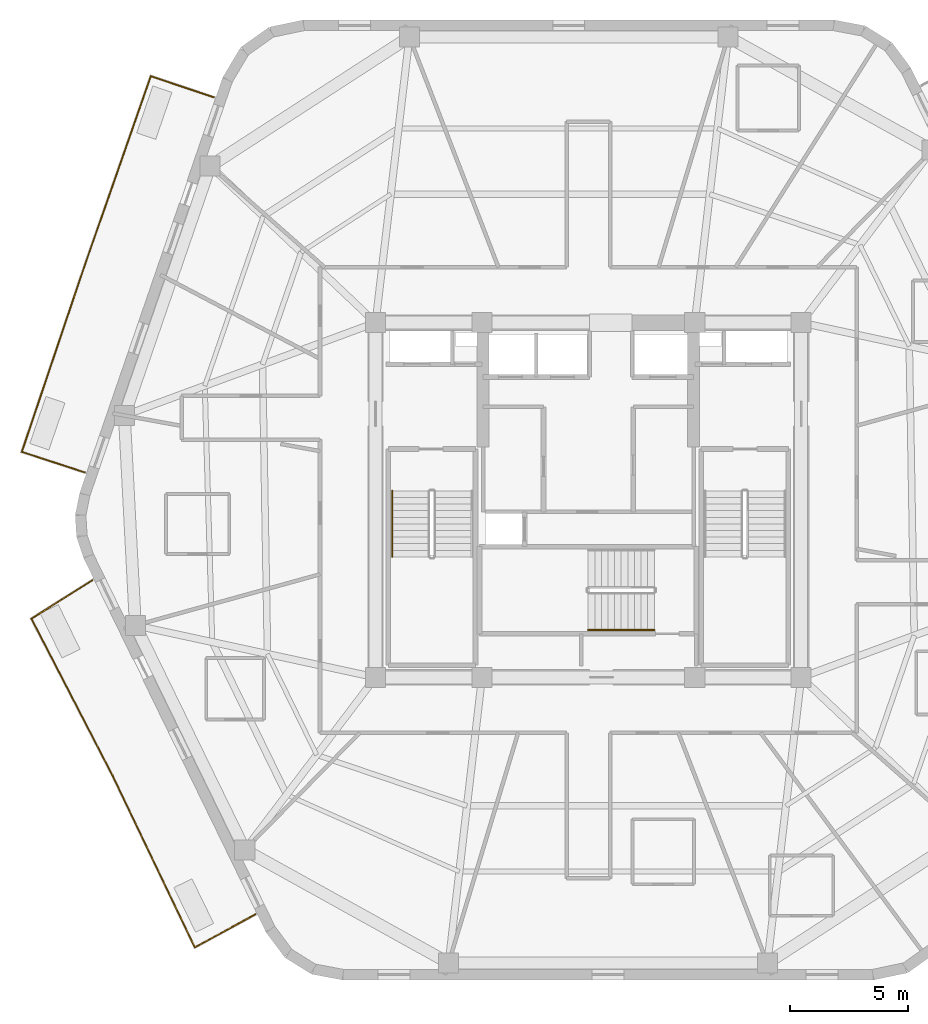
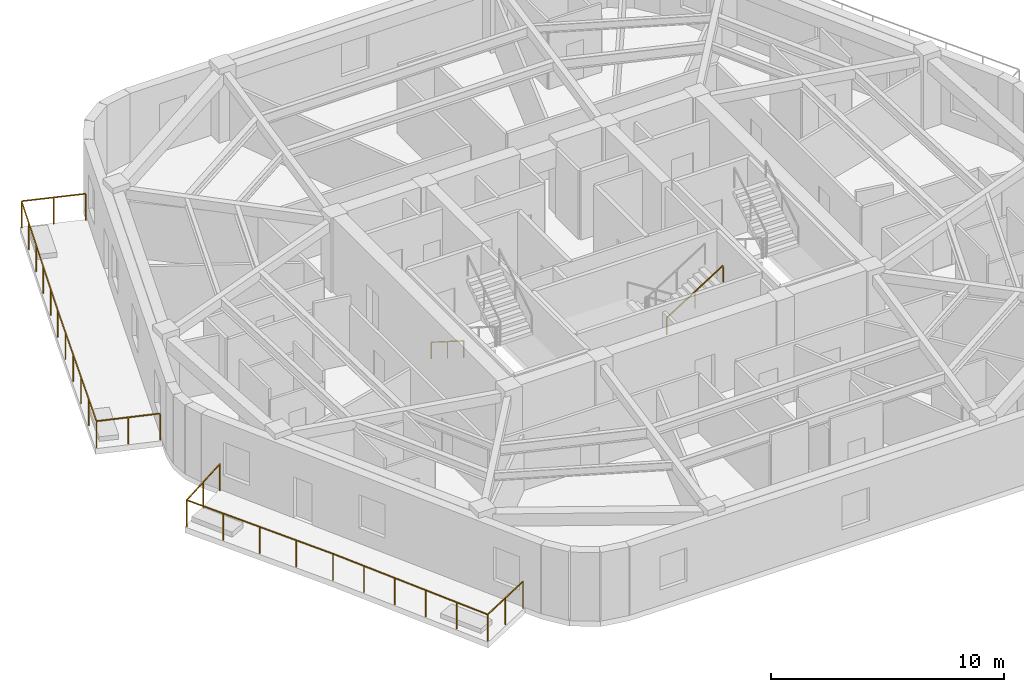
# One storey, part 7 of 9: 4 railings.
"""IFC4 building model written with IfcOpenShell, lengths in metres."""

from ifc_helpers import new_model, si_unit, direction, frame, origin, origin_2d, place, context, subcontext, project, spatial, rectangle, extrude, material, layer, layer_set, type_object, element, save


model = new_model("IFC4")

# Units and contexts
model_context = context("Model", 3, precision=1e-05, world=origin(), true_north=direction((0.0, 1.0)))
body_context = subcontext(model_context, "Body", "Model", "MODEL_VIEW")
ifc_project = project(units=[si_unit("LENGTHUNIT", "METRE"), si_unit("AREAUNIT", "SQUARE_METRE"), si_unit("VOLUMEUNIT", "CUBIC_METRE"), si_unit("PLANEANGLEUNIT", "RADIAN"), si_unit("MASSUNIT", "GRAM", prefix="KILO")], contexts=[model_context])

# Site, building, storey
site_placement = place(None, origin())
site = spatial("IfcSite", under=ifc_project, at=site_placement, CompositionType="ELEMENT")
building_placement = place(site_placement, origin())
building = spatial("IfcBuilding", under=site, at=building_placement, Name="Kilnhurst Terrace Hotel", CompositionType="ELEMENT")
storey_placement = place(building_placement, frame((0.0, 0.0, 276.89990234375)))
storey = spatial("IfcBuildingStorey", under=building, at=storey_placement, Name="L69", CompositionType="ELEMENT", Elevation=276.89990234375)

# Railings
ifc_material_1 = material(Name="Laminated SentryGlas and Stainless Steel AISI 316L Balustrade", Category="steel")
ifc_layer_1 = layer(ifc_material_1, 0.070068359375, Name="Laminated SentryGlas and Stainless Steel AISI 316L Balustrade")
ifc_layer_set_1 = layer_set([ifc_layer_1], Name="Laminated SentryGlas and Stainless Steel AISI 316L Balustrade")
railing_type_1 = type_object("IfcRailingType", Name="RLG-BAL-1420", PredefinedType="BALUSTRADE", material=ifc_layer_set_1)
railing_1_placement = place(storey_placement, frame((-21.298828125, 1.166748046875, 0.0)))
element("IfcRailing", 1, at=railing_1_placement, inside=storey, type_object=railing_type_1, Name="L69 Exterior Terrace Guardrail BAL-L2A.1", PredefinedType="BALUSTRADE", context=body_context, shape_type="SweptSolid", body=[
    extrude(rectangle(XDim=0.048095703125, YDim=0.048095703125, at=origin_2d()), frame((0.0, 0.0, 1.39599609375), z_axis=(-0.950394786916, 0.311046216827, 0.0), x_axis=(-0.311046216827, -0.950394786916, 0.0)), (0.0, 0.0, 1.0), 2.80126953125),
    extrude(rectangle(XDim=0.048095703125, YDim=0.048095703125, at=origin_2d()), frame((-2.662353515625, 0.871337890625, 1.39599609375), z_axis=(0.319895813217, 0.94745272636, 0.0), x_axis=(-0.94745272636, 0.319895813217, 0.0)), (0.0, 0.0, 1.0), 8.44091796875),
    extrude(rectangle(XDim=0.048095703125, YDim=0.048095703125, at=origin_2d()), frame((0.037841796875, 8.86865234375, 1.39599609375), z_axis=(0.329893619994, 0.944018113962, 0.0), x_axis=(-0.944018113962, 0.329893619994, 0.0)), (0.0, 0.0, 1.0), 8.356689453125),
    extrude(rectangle(XDim=0.048095703125, YDim=0.048095703125, at=origin_2d()), frame((2.794677734375, 16.757568359375, 1.39599609375), z_axis=(0.948082201611, -0.318025374757, 0.0), x_axis=(0.318025374757, 0.948082201611, 0.0)), (0.0, 0.0, 1.0), 2.810546875),
    extrude(rectangle(XDim=0.0419921875, YDim=0.0419921875, at=origin_2d()), origin(), (0.0, 0.0, 1.0), 1.371826171875),
    extrude(rectangle(XDim=0.0419921875, YDim=0.0419921875, at=origin_2d()), frame((-1.3310546875, 0.435546875, 0.0)), (0.0, 0.0, 1.0), 1.371826171875),
    extrude(rectangle(XDim=0.0419921875, YDim=0.0419921875, at=origin_2d()), frame((-2.662353515625, 0.871337890625, 0.0)), (0.0, 0.0, 1.0), 1.371826171875),
    extrude(rectangle(XDim=0.0419921875, YDim=0.0419921875, at=origin_2d()), frame((-2.122314453125, 2.470703125, 0.0)), (0.0, 0.0, 1.0), 1.371826171875),
    extrude(rectangle(XDim=0.0419921875, YDim=0.0419921875, at=origin_2d()), frame((-1.582275390625, 4.0703125, 0.0)), (0.0, 0.0, 1.0), 1.371826171875),
    extrude(rectangle(XDim=0.0419921875, YDim=0.0419921875, at=origin_2d()), frame((-1.042236328125, 5.669677734375, 0.0)), (0.0, 0.0, 1.0), 1.371826171875),
    extrude(rectangle(XDim=0.0419921875, YDim=0.0419921875, at=origin_2d()), frame((-0.502197265625, 7.269287109375, 0.0)), (0.0, 0.0, 1.0), 1.371826171875),
    extrude(rectangle(XDim=0.0419921875, YDim=0.0419921875, at=origin_2d()), frame((0.037841796875, 8.86865234375, 0.0)), (0.0, 0.0, 1.0), 1.371826171875),
    extrude(rectangle(XDim=0.0419921875, YDim=0.0419921875, at=origin_2d()), frame((0.589111328125, 10.446533203125, 0.0)), (0.0, 0.0, 1.0), 1.371826171875),
    extrude(rectangle(XDim=0.0419921875, YDim=0.0419921875, at=origin_2d()), frame((1.140625, 12.024169921875, 0.0)), (0.0, 0.0, 1.0), 1.371826171875),
    extrude(rectangle(XDim=0.0419921875, YDim=0.0419921875, at=origin_2d()), frame((1.69189453125, 13.60205078125, 0.0)), (0.0, 0.0, 1.0), 1.371826171875),
    extrude(rectangle(XDim=0.0419921875, YDim=0.0419921875, at=origin_2d()), frame((2.243408203125, 15.1796875, 0.0)), (0.0, 0.0, 1.0), 1.371826171875),
    extrude(rectangle(XDim=0.0419921875, YDim=0.0419921875, at=origin_2d()), frame((2.794677734375, 16.757568359375, 0.0)), (0.0, 0.0, 1.0), 1.371826171875),
    extrude(rectangle(XDim=0.0419921875, YDim=0.0419921875, at=origin_2d()), frame((4.126953125, 16.310546875, 0.0)), (0.0, 0.0, 1.0), 1.371826171875),
    extrude(rectangle(XDim=0.0419921875, YDim=0.0419921875, at=origin_2d()), frame((5.459228515625, 15.86376953125, 0.0)), (0.0, 0.0, 1.0), 1.371826171875),
])
railing_2_placement = place(storey_placement, frame((-14.089599609375, -17.52880859375, 0.0)))
element("IfcRailing", 2, at=railing_2_placement, inside=storey, type_object=railing_type_1, Name="L69 Exterior Terrace Guardrail BAL-L2B.1", PredefinedType="BALUSTRADE", context=body_context, shape_type="SweptSolid", body=[
    extrude(rectangle(XDim=0.048095703125, YDim=0.048095703125, at=origin_2d()), frame((0.0, 0.0, 1.39599609375), z_axis=(-0.878504936271, -0.477733269667, 0.0), x_axis=(0.477733269667, -0.878504936271, 0.0)), (0.0, 0.0, 1.0), 2.90576171875),
    extrude(rectangle(XDim=0.048095703125, YDim=0.048095703125, at=origin_2d()), frame((-2.552734375, -1.38818359375, 1.39599609375), z_axis=(-0.432219770894, 0.901768301532, 0.0), x_axis=(-0.901768301532, -0.432219770894, 0.0)), (0.0, 0.0, 1.0), 8.0576171875),
    extrude(rectangle(XDim=0.048095703125, YDim=0.048095703125, at=origin_2d()), frame((-6.035400390625, 5.8779296875, 1.39599609375), z_axis=(-0.496138938357, 0.868243142124, 0.0), x_axis=(-0.868243142124, -0.496138938357, 0.0)), (0.0, 0.0, 1.0), 0.001953125),
    extrude(rectangle(XDim=0.048095703125, YDim=0.048095703125, at=origin_2d()), frame((-6.036376953125, 5.879638671875, 1.39599609375), z_axis=(-0.459705000347, 0.888071682161, 0.0), x_axis=(-0.888071682161, -0.459705000347, 0.0)), (0.0, 0.0, 1.0), 7.46337890625),
    extrude(rectangle(XDim=0.048095703125, YDim=0.048095703125, at=origin_2d()), frame((-9.46728515625, 12.507568359375, 1.39599609375), z_axis=(0.845686755454, 0.533679596434, 0.0), x_axis=(-0.533679596434, 0.845686755454, 0.0)), (0.0, 0.0, 1.0), 3.048583984375),
    extrude(rectangle(XDim=0.0419921875, YDim=0.0419921875, at=origin_2d()), origin(), (0.0, 0.0, 1.0), 1.371826171875),
    extrude(rectangle(XDim=0.0419921875, YDim=0.0419921875, at=origin_2d()), frame((-1.2763671875, -0.694091796875, 0.0)), (0.0, 0.0, 1.0), 1.371826171875),
    extrude(rectangle(XDim=0.0419921875, YDim=0.0419921875, at=origin_2d()), frame((-2.552734375, -1.38818359375, 0.0)), (0.0, 0.0, 1.0), 1.371826171875),
    extrude(rectangle(XDim=0.0419921875, YDim=0.0419921875, at=origin_2d()), frame((-3.249267578125, 0.06494140625, 0.0)), (0.0, 0.0, 1.0), 1.371826171875),
    extrude(rectangle(XDim=0.0419921875, YDim=0.0419921875, at=origin_2d()), frame((-3.94580078125, 1.518310546875, 0.0)), (0.0, 0.0, 1.0), 1.371826171875),
    extrude(rectangle(XDim=0.0419921875, YDim=0.0419921875, at=origin_2d()), frame((-4.642333984375, 2.971435546875, 0.0)), (0.0, 0.0, 1.0), 1.371826171875),
    extrude(rectangle(XDim=0.0419921875, YDim=0.0419921875, at=origin_2d()), frame((-5.3388671875, 4.4248046875, 0.0)), (0.0, 0.0, 1.0), 1.371826171875),
    extrude(rectangle(XDim=0.0419921875, YDim=0.0419921875, at=origin_2d()), frame((-6.035400390625, 5.8779296875, 0.0)), (0.0, 0.0, 1.0), 1.371826171875),
    extrude(rectangle(XDim=0.0419921875, YDim=0.0419921875, at=origin_2d()), frame((-6.036376953125, 5.879638671875, 0.0)), (0.0, 0.0, 1.0), 1.371826171875),
    extrude(rectangle(XDim=0.0419921875, YDim=0.0419921875, at=origin_2d()), frame((-6.89404296875, 7.53662109375, 0.0)), (0.0, 0.0, 1.0), 1.371826171875),
    extrude(rectangle(XDim=0.0419921875, YDim=0.0419921875, at=origin_2d()), frame((-7.751953125, 9.193603515625, 0.0)), (0.0, 0.0, 1.0), 1.371826171875),
    extrude(rectangle(XDim=0.0419921875, YDim=0.0419921875, at=origin_2d()), frame((-8.609619140625, 10.8505859375, 0.0)), (0.0, 0.0, 1.0), 1.371826171875),
    extrude(rectangle(XDim=0.0419921875, YDim=0.0419921875, at=origin_2d()), frame((-9.46728515625, 12.507568359375, 0.0)), (0.0, 0.0, 1.0), 1.371826171875),
    extrude(rectangle(XDim=0.0419921875, YDim=0.0419921875, at=origin_2d()), frame((-8.17822265625, 13.321044921875, 0.0)), (0.0, 0.0, 1.0), 1.371826171875),
    extrude(rectangle(XDim=0.0419921875, YDim=0.0419921875, at=origin_2d()), frame((-6.88916015625, 14.134521484375, 0.0)), (0.0, 0.0, 1.0), 1.371826171875),
])
ifc_material_2 = material(Name="Brushed Stainless Steel AISI 304", Category="steel")
ifc_layer_2 = layer(ifc_material_2, 0.048095703125, Name="Brushed Stainless Steel AISI 304")
ifc_layer_set_2 = layer_set([ifc_layer_2], Name="Brushed Stainless Steel AISI 304")
railing_type_2 = type_object("IfcRailingType", Name="RLG-ST-HRL-900", PredefinedType="HANDRAIL", material=ifc_layer_set_2)
railing_3_placement = place(storey_placement, frame((-8.300048828125, 0.389892578125, 0.177490234375)))
element("IfcRailing", 3, at=railing_3_placement, inside=storey, type_object=railing_type_2, Name="L69 ST-1 stair handrail 1", PredefinedType="HANDRAIL", context=body_context, shape_type="SweptSolid", body=[
    extrude(rectangle(XDim=0.048095703125, YDim=0.048095703125, at=origin_2d()), frame((0.0, 0.0, 0.8759765625), z_axis=(0.0, -0.844887892834, 0.53494340686), x_axis=(1.0, 0.0, 0.0)), (0.0, 0.0, 1.0), 3.313720703125),
    extrude(rectangle(XDim=0.0419921875, YDim=0.0419921875, at=origin_2d()), origin(), (0.0, 0.0, 1.0), 0.851806640625),
    extrude(rectangle(XDim=0.0419921875, YDim=0.0419921875, at=origin_2d()), frame((0.0, -1.39990234375, 0.88623046875)), (0.0, 0.0, 1.0), 0.851806640625),
    extrude(rectangle(XDim=0.0419921875, YDim=0.0419921875, at=origin_2d()), frame((0.0, -2.7998046875, 1.772705078125)), (0.0, 0.0, 1.0), 0.851806640625),
])
railing_4_placement = place(storey_placement, frame((-0.010009765625, -5.5, 2.12744140625)))
element("IfcRailing", 4, at=railing_4_placement, inside=storey, type_object=railing_type_2, Name="L69 ST-3 stair handrail 2", PredefinedType="HANDRAIL", context=body_context, shape_type="SweptSolid", body=[
    extrude(rectangle(XDim=0.048095703125, YDim=0.048095703125, at=origin_2d()), frame((0.0, 0.0, 0.8759765625), z_axis=(0.844908973607, 0.0, 0.534910110503), x_axis=(0.0, 1.0, 0.0)), (0.0, 0.0, 1.0), 3.31396484375),
    extrude(rectangle(XDim=0.0419921875, YDim=0.0419921875, at=origin_2d()), origin(), (0.0, 0.0, 1.0), 0.851806640625),
    extrude(rectangle(XDim=0.0419921875, YDim=0.0419921875, at=origin_2d()), frame((1.39990234375, 0.0, 0.88623046875)), (0.0, 0.0, 1.0), 0.851806640625),
    extrude(rectangle(XDim=0.0419921875, YDim=0.0419921875, at=origin_2d()), frame((2.800048828125, 0.0, 1.772705078125)), (0.0, 0.0, 1.0), 0.851806640625),
])

save(model, "model.ifc")
